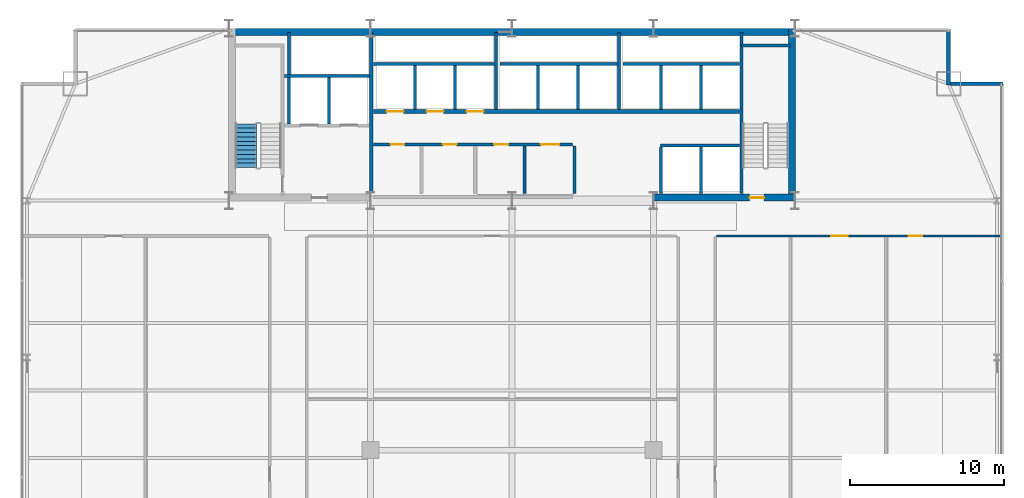
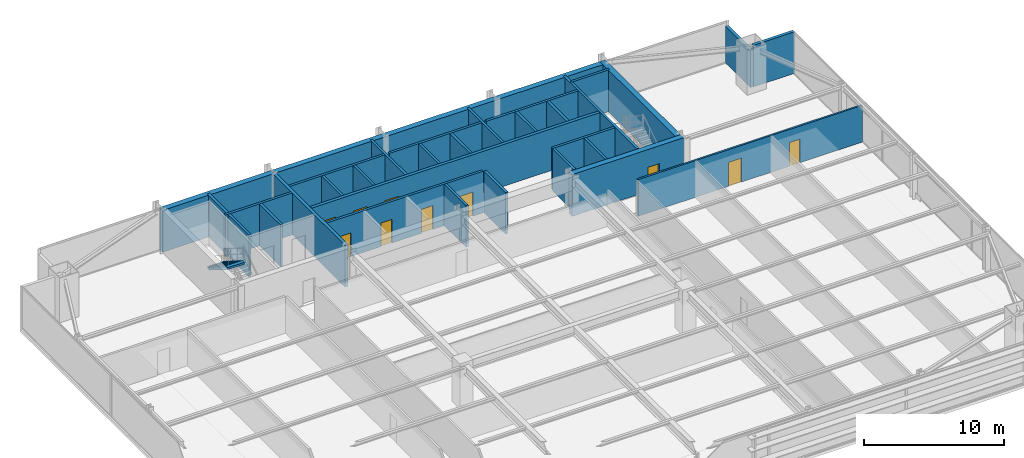
# One storey, part 29 of 32: 30 walls, 10 doors, 1 stair flight, 10 openings, 1 element without a shape of its own.
"""IFC4 building model written with IfcOpenShell, lengths in metres."""

from ifc_helpers import new_model, si_unit, direction, frame, frame_2d, origin, place, context, subcontext, project, spatial, polyline, rectangle, outline, extrude, source, transform, mapped, material, layer, layer_set, type_object, type_shapes, element, fill, aggregate, save


model = new_model("IFC4")

# Units and contexts
model_context = context("Model", 3, precision=1e-05, world=origin(), true_north=direction((0.0, 1.0)))
body_context = subcontext(model_context, "Body", "Model", "MODEL_VIEW")
ifc_project = project(units=[si_unit("LENGTHUNIT", "METRE"), si_unit("AREAUNIT", "SQUARE_METRE"), si_unit("VOLUMEUNIT", "CUBIC_METRE"), si_unit("PLANEANGLEUNIT", "RADIAN"), si_unit("MASSUNIT", "GRAM", prefix="KILO")], contexts=[model_context])

# Site, building, storey
site_placement = place(None, origin())
site = spatial("IfcSite", under=ifc_project, at=site_placement, CompositionType="ELEMENT")
building_placement = place(site_placement, origin())
building = spatial("IfcBuilding", under=site, at=building_placement, Name="Varnel Quay Broadcast Tower", CompositionType="ELEMENT")
storey_placement = place(building_placement, frame((0.0, 0.0, 70.5)))
storey = spatial("IfcBuildingStorey", under=building, at=storey_placement, Name="L16", CompositionType="ELEMENT", Elevation=70.5)

# Walls
ifc_material_1 = material(Name="Concrete CSA A23.3 C50/60", Category="concrete")
ifc_layer_1 = layer(ifc_material_1, 0.199951171875, Name="Concrete CSA A23.3 C50/60")
ifc_layer_set_1 = layer_set([ifc_layer_1], Name="Concrete CSA A23.3 C50/60")
wall_type_1 = type_object("IfcWallType", Name="Wall_CoreShaftShear200", PredefinedType="SHEAR", material=ifc_layer_set_1)
wall_1_placement = place(storey_placement, frame((19.199951171875, 43.699951171875, 0.0), z_axis=(0.0, 0.0, 1.0), x_axis=(1.0, 0.0, 0.0)))
element("IfcWall", 1, at=wall_1_placement, inside=storey, type_object=wall_type_1, Name="L16 Firefighter Lift Shaft Rear Wall", PredefinedType="SHEAR", context=body_context, shape_type="SweptSolid", body=[
    extrude(rectangle(XDim=5.52001953125, YDim=0.199951171875, at=frame_2d((2.760009765625, 0.0))), origin(), (0.0, 0.0, 1.0), 3.64990234375),
])
wall_2_placement = place(storey_placement, frame((22.10009765625, 40.60009765625, 0.0), z_axis=(0.0, 0.0, 1.0), x_axis=(0.0, 1.0, 0.0)))
element("IfcWall", 2, at=wall_2_placement, inside=storey, type_object=wall_type_1, Name="L16 Firefighter Lift Shaft Divider", PredefinedType="SHEAR", context=body_context, shape_type="SweptSolid", body=[
    extrude(rectangle(XDim=3.0, YDim=0.199951171875, at=frame_2d((1.5, 0.0))), origin(), (0.0, 0.0, 1.0), 3.64990234375),
])
wall_3_placement = place(storey_placement, frame((19.5, 40.60009765625, 0.0), z_axis=(0.0, 0.0, 1.0), x_axis=(0.0, 1.0, 0.0)))
element("IfcWall", 3, at=wall_3_placement, inside=storey, type_object=wall_type_1, Name="L16 Firefighter Lift Shaft West Wall", PredefinedType="SHEAR", context=body_context, shape_type="SweptSolid", body=[
    extrude(rectangle(XDim=5.949951171875, YDim=0.199951171875, at=frame_2d((2.97509765625, 0.0))), origin(), (0.0, 0.0, 1.0), 3.64990234375),
])
wall_4_placement = place(storey_placement, frame((48.919921875, 36.050048828125, 0.0), z_axis=(0.0, 0.0, 1.0), x_axis=(0.0, 1.0, 0.0)))
element("IfcWall", 4, at=wall_4_placement, inside=storey, type_object=wall_type_1, Name="L16 Stair 2 West Structural Wall", PredefinedType="SHEAR", context=body_context, shape_type="SweptSolid", body=[
    extrude(rectangle(XDim=10.5, YDim=0.199951171875, at=frame_2d((5.25, 0.0))), origin(), (0.0, 0.0, 1.0), 3.64990234375),
])
wall_5_placement = place(storey_placement, frame((48.919921875, 45.679931640625, 0.0), z_axis=(0.0, 0.0, 1.0), x_axis=(1.0, 0.0, 0.0)))
element("IfcWall", 5, at=wall_5_placement, inside=storey, type_object=wall_type_1, Name="L16 Stair 2 North Structural Wall", PredefinedType="SHEAR", context=body_context, shape_type="SweptSolid", body=[
    extrude(rectangle(XDim=3.18017578125, YDim=0.199951171875, at=frame_2d((1.590087890625, 0.0))), origin(), (0.0, 0.0, 1.0), 3.64990234375),
])
wall_6_placement = place(storey_placement, frame((24.97998046875, 44.5, 0.0), z_axis=(0.0, 0.0, 1.0), x_axis=(1.0, 0.0, 0.0)))
element("IfcWall", 6, at=wall_6_placement, inside=storey, type_object=wall_type_1, Name="L16 Low-Rise Lift Shaft Rear Wall", PredefinedType="SHEAR", context=body_context, shape_type="SweptSolid", body=[
    extrude(rectangle(XDim=7.8701171875, YDim=0.199951171875, at=frame_2d((3.93505859375, 0.0))), origin(), (0.0, 0.0, 1.0), 3.64990234375),
])
for number, where, z_axis, x_axis, name in (
    (7, (27.699951171875, 41.530029296875, 0.0), (0.0, 0.0, 1.0), (0.0, 1.0, 0.0), "L16 Low-Rise Lift Shaft Divider 1"),
    (8, (30.300048828125, 41.530029296875, 0.0), (0.0, 0.0, 1.0), (0.0, 1.0, 0.0), "L16 Low-Rise Lift Shaft Divider 2"),
):
    element("IfcWall", number, at=place(storey_placement, frame(where, z_axis=z_axis, x_axis=x_axis)), inside=storey, type_object=wall_type_1, Name=name, PredefinedType="SHEAR", context=body_context, shape_type="SweptSolid", body=[
        extrude(rectangle(XDim=2.869873046875, YDim=0.199951171875, at=frame_2d((1.43505859375, 0.0))), origin(), (0.0, 0.0, 1.0), 3.64990234375),
    ])
wall_7_placement = place(storey_placement, frame((32.949951171875, 41.530029296875, 0.0), z_axis=(0.0, 0.0, 1.0), x_axis=(0.0, 1.0, 0.0)))
element("IfcWall", 9, at=wall_7_placement, inside=storey, type_object=wall_type_1, Name="L16 Low-Rise Lift Shaft Divider 3", PredefinedType="SHEAR", context=body_context, shape_type="SweptSolid", body=[
    extrude(rectangle(XDim=5.02001953125, YDim=0.199951171875, at=frame_2d((2.510009765625, 0.0))), origin(), (0.0, 0.0, 1.0), 3.64990234375),
])
wall_8_placement = place(storey_placement, frame((33.219970703125, 44.5, 0.0), z_axis=(0.0, 0.0, 1.0), x_axis=(1.0, 0.0, 0.0)))
element("IfcWall", 10, at=wall_8_placement, inside=storey, type_object=wall_type_1, Name="L16 Mid-Rise Lift Shaft Rear Wall", PredefinedType="SHEAR", context=body_context, shape_type="SweptSolid", body=[
    extrude(rectangle(XDim=7.630126953125, YDim=0.199951171875, at=frame_2d((3.81494140625, 0.0))), origin(), (0.0, 0.0, 1.0), 3.64990234375),
])
for number, where, z_axis, x_axis, name in (
    (11, (35.699951171875, 41.530029296875, 0.0), (0.0, 0.0, 1.0), (0.0, 1.0, 0.0), "L16 Mid-Rise Lift Shaft Divider 2"),
    (12, (38.300048828125, 41.530029296875, 0.0), (0.0, 0.0, 1.0), (0.0, 1.0, 0.0), "L16 Mid-Rise Lift Shaft Divider 3"),
):
    element("IfcWall", number, at=place(storey_placement, frame(where, z_axis=z_axis, x_axis=x_axis)), inside=storey, type_object=wall_type_1, Name=name, PredefinedType="SHEAR", context=body_context, shape_type="SweptSolid", body=[
        extrude(rectangle(XDim=2.869873046875, YDim=0.199951171875, at=frame_2d((1.43505859375, 0.0))), origin(), (0.0, 0.0, 1.0), 3.64990234375),
    ])
wall_9_placement = place(storey_placement, frame((40.949951171875, 41.530029296875, 0.0), z_axis=(0.0, 0.0, 1.0), x_axis=(0.0, 1.0, 0.0)))
element("IfcWall", 13, at=wall_9_placement, inside=storey, type_object=wall_type_1, Name="L16 Mid-Rise Lift Shaft Divider 4", PredefinedType="SHEAR", context=body_context, shape_type="SweptSolid", body=[
    extrude(rectangle(XDim=5.02001953125, YDim=0.199951171875, at=frame_2d((2.510009765625, 0.0))), origin(), (0.0, 0.0, 1.0), 3.64990234375),
])
wall_10_placement = place(storey_placement, frame((41.219970703125, 44.5, 0.0), z_axis=(0.0, 0.0, 1.0), x_axis=(1.0, 0.0, 0.0)))
element("IfcWall", 14, at=wall_10_placement, inside=storey, type_object=wall_type_1, Name="L16 High-Rise Lift Shaft Rear Wall", PredefinedType="SHEAR", context=body_context, shape_type="SweptSolid", body=[
    extrude(rectangle(XDim=7.580078125, YDim=0.199951171875, at=frame_2d((3.7900390625, 0.0))), origin(), (0.0, 0.0, 1.0), 3.64990234375),
])
for number, where, z_axis, x_axis, name in (
    (15, (43.699951171875, 41.530029296875, 0.0), (0.0, 0.0, 1.0), (0.0, 1.0, 0.0), "L16 High-Rise Lift Shaft Divider 2"),
    (16, (46.300048828125, 41.530029296875, 0.0), (0.0, 0.0, 1.0), (0.0, 1.0, 0.0), "L16 High-Rise Lift Shaft Divider 3"),
):
    element("IfcWall", number, at=place(storey_placement, frame(where, z_axis=z_axis, x_axis=x_axis)), inside=storey, type_object=wall_type_1, Name=name, PredefinedType="SHEAR", context=body_context, shape_type="SweptSolid", body=[
        extrude(rectangle(XDim=2.869873046875, YDim=0.199951171875, at=frame_2d((1.43505859375, 0.0))), origin(), (0.0, 0.0, 1.0), 3.64990234375),
    ])
for number, where, z_axis, x_axis, name in (
    (17, (43.699951171875, 36.050048828125, 0.0), (0.0, 0.0, 1.0), (0.0, 1.0, 0.0), "L16 Express Lift Shaft West Wall"),
    (18, (46.300048828125, 36.050048828125, 0.0), (0.0, 0.0, 1.0), (0.0, 1.0, 0.0), "L16 Express Lift Shaft Divider"),
):
    element("IfcWall", number, at=place(storey_placement, frame(where, z_axis=z_axis, x_axis=x_axis)), inside=storey, type_object=wall_type_1, Name=name, PredefinedType="SHEAR", context=body_context, shape_type="SweptSolid", body=[
        extrude(rectangle(XDim=3.050048828125, YDim=0.199951171875, at=frame_2d((1.52490234375, 0.0))), origin(), (0.0, 0.0, 1.0), 3.64990234375),
    ])
wall_11_placement = place(storey_placement, frame((43.64990234375, 39.199951171875, 0.0), z_axis=(0.0, 0.0, 1.0), x_axis=(1.0, 0.0, 0.0)))
element("IfcWall", 19, at=wall_11_placement, inside=storey, type_object=wall_type_1, Name="L16 Express Lift Shaft North Front Wall", PredefinedType="SHEAR", context=body_context, shape_type="SweptSolid", body=[
    extrude(rectangle(XDim=5.150146484375, YDim=0.199951171875, at=frame_2d((2.5751953125, 0.0))), origin(), (0.0, 0.0, 1.0), 3.64990234375),
])
ifc_layer_2 = layer(ifc_material_1, 0.25, Name="Concrete CSA A23.3 C50/60")
ifc_layer_set_2 = layer_set([ifc_layer_2], Name="Concrete CSA A23.3 C50/60")
wall_type_2 = type_object("IfcWallType", Name="Wall_CoreShaftShear250", PredefinedType="SHEAR", material=ifc_layer_set_2)
wall_12_placement = place(storey_placement, frame((24.85009765625, 36.050048828125, 0.0), z_axis=(0.0, 0.0, 1.0), x_axis=(0.0, 1.0, 0.0)))
element("IfcWall", 20, at=wall_12_placement, inside=storey, type_object=wall_type_2, Name="L16 Firefighting Lobby East Structural Wall", PredefinedType="SHEAR", context=body_context, shape_type="SweptSolid", body=[
    extrude(rectangle(XDim=10.449951171875, YDim=0.25, at=frame_2d((5.22509765625, 0.0))), origin(), (0.0, 0.0, 1.0), 3.64990234375),
])

# Wall, openings, doors
wall_13_placement = place(storey_placement, frame((24.97998046875, 41.39990234375, 0.0), z_axis=(0.0, 0.0, 1.0), x_axis=(1.0, 0.0, 0.0)))
wall_13 = element("IfcWall", 21, at=wall_13_placement, inside=storey, type_object=wall_type_2, Name="L16 North Lift Bank & Reclaimed Suite Wall", PredefinedType="SHEAR", context=body_context, shape_type="SweptSolid", body=[
    extrude(rectangle(XDim=23.820068359375, YDim=0.25, at=frame_2d((11.91015625, 0.0))), origin(), (0.0, 0.0, 1.0), 3.64990234375),
])
opening_1_placement = place(wall_13_placement, frame((0.8701171875, 0.0, 0.0)))
opening_1 = element("IfcOpeningElement", 22, at=opening_1_placement, cuts=wall_13, Name="Opening LD-L16-PL-01", PredefinedType="OPENING", context=body_context, shape_type="SweptSolid", body=[
    extrude(rectangle(XDim=1.10009765625, YDim=2.179931640625, at=frame_2d((0.550048828125, 1.08984375))), frame((0.0, 0.135009765625, 0.0), z_axis=(0.0, -1.0, 0.0), x_axis=(1.0, 0.0, 0.0)), (0.0, 0.0, 1.0), 0.27001953125),
])
opening_2_placement = place(wall_13_placement, frame((3.469970703125, 0.0, 0.0)))
opening_2 = element("IfcOpeningElement", 23, at=opening_2_placement, cuts=wall_13, Name="Opening LD-L16-PL-02", PredefinedType="OPENING", context=body_context, shape_type="SweptSolid", body=[
    extrude(rectangle(XDim=1.10009765625, YDim=2.179931640625, at=frame_2d((0.550048828125, 1.08984375))), frame((0.0, 0.135009765625, 0.0), z_axis=(0.0, -1.0, 0.0), x_axis=(1.0, 0.0, 0.0)), (0.0, 0.0, 1.0), 0.27001953125),
])
opening_3_placement = place(wall_13_placement, frame((6.070068359375, 0.0, 0.0)))
opening_3 = element("IfcOpeningElement", 24, at=opening_3_placement, cuts=wall_13, Name="Opening LD-L16-PL-03", PredefinedType="OPENING", context=body_context, shape_type="SweptSolid", body=[
    extrude(rectangle(XDim=1.10009765625, YDim=2.179931640625, at=frame_2d((0.550048828125, 1.08984375))), frame((0.0, 0.135009765625, 0.0), z_axis=(0.0, -1.0, 0.0), x_axis=(1.0, 0.0, 0.0)), (0.0, 0.0, 1.0), 0.27001953125),
])
ifc_material_2 = material(Name="Brushed Bronze-Stainless Lift Car & Sliding Doors", Category="steel")
door_type_1 = type_object("IfcDoorType", Name="Door_LiftLanding1100", OperationType="SLIDING_TO_LEFT", PredefinedType="DOOR", material=ifc_material_2)
shared_shape_1 = source(origin(), body_context, "Body", "SweptSolid", [
    extrude(rectangle(XDim=1.10009765625, YDim=2.179931640625, at=frame_2d((0.550048828125, 1.08984375))), frame((0.0, 0.02490234375, 0.0), z_axis=(0.0, -1.0, 0.0), x_axis=(1.0, 0.0, 0.0)), (0.0, 0.0, 1.0), 0.050048828125),
])
type_shapes(door_type_1, [shared_shape_1])
door_1_placement = place(opening_1_placement, frame((1.10009765625, 0.0, 0.0), z_axis=(0.0, 0.0, 1.0), x_axis=(-1.0, 0.0, 0.0)))
door_1 = element("IfcDoor", 25, at=door_1_placement, inside=storey, type_object=door_type_1, Name="L16 Lift PL-01 Landing Door", OperationType="SLIDING_TO_LEFT", OverallHeight=2.179931640625, OverallWidth=1.10009765625, PredefinedType="DOOR", context=body_context, shape_type="MappedRepresentation", body=[
    mapped(shared_shape_1, transform((0.0, 0.0, 0.0), x_axis=(1.0, 0.0, 0.0), y_axis=(0.0, 1.0, 0.0), z_axis=(0.0, 0.0, 1.0), scale=1.0)),
])
fill(opening_1, door_1)
door_2_placement = place(opening_2_placement, frame((1.10009765625, 0.0, 0.0), z_axis=(0.0, 0.0, 1.0), x_axis=(-1.0, 0.0, 0.0)))
door_2 = element("IfcDoor", 26, at=door_2_placement, inside=storey, type_object=door_type_1, Name="L16 Lift PL-02 Landing Door", OperationType="SLIDING_TO_LEFT", OverallHeight=2.179931640625, OverallWidth=1.10009765625, PredefinedType="DOOR", context=body_context, shape_type="MappedRepresentation", body=[
    mapped(shared_shape_1, transform((0.0, 0.0, 0.0), x_axis=(1.0, 0.0, 0.0), y_axis=(0.0, 1.0, 0.0), z_axis=(0.0, 0.0, 1.0), scale=1.0)),
])
fill(opening_2, door_2)
door_3_placement = place(opening_3_placement, frame((1.10009765625, 0.0, 0.0), z_axis=(0.0, 0.0, 1.0), x_axis=(-1.0, 0.0, 0.0)))
door_3 = element("IfcDoor", 27, at=door_3_placement, inside=storey, type_object=door_type_1, Name="L16 Lift PL-03 Landing Door", OperationType="SLIDING_TO_LEFT", OverallHeight=2.179931640625, OverallWidth=1.10009765625, PredefinedType="DOOR", context=body_context, shape_type="MappedRepresentation", body=[
    mapped(shared_shape_1, transform((0.0, 0.0, 0.0), x_axis=(1.0, 0.0, 0.0), y_axis=(0.0, 1.0, 0.0), z_axis=(0.0, 0.0, 1.0), scale=1.0)),
])
fill(opening_3, door_3)

# Walls
ifc_material_3 = material(Name="Concrete CSA A23.3 C60/75", Category="concrete")
ifc_layer_3 = layer(ifc_material_3, 0.449951171875, Name="Concrete CSA A23.3 C60/75")
ifc_layer_set_3 = layer_set([ifc_layer_3], Name="Concrete CSA A23.3 C60/75")
wall_type_3 = type_object("IfcWallType", Name="Wall_CoreShearExt450", PredefinedType="SHEAR", material=ifc_layer_set_3)
wall_14_placement = place(storey_placement, frame((15.60009765625, 46.574951171875, 0.0), z_axis=(0.0, 0.0, 1.0), x_axis=(1.0, 0.0, 0.0)))
element("IfcWall", 28, at=wall_14_placement, inside=storey, type_object=wall_type_3, Name="L16 North Core Shear Wall", PredefinedType="SHEAR", context=body_context, shape_type="SweptSolid", body=[
    extrude(rectangle(XDim=36.7998046875, YDim=0.449951171875, at=frame_2d((18.39990234375, 0.0))), origin(), (0.0, 0.0, 1.0), 3.64990234375),
])
ifc_layer_4 = layer(ifc_material_3, 0.449951171875, Name="Concrete CSA A23.3 C60/75")
ifc_layer_set_4 = layer_set([ifc_layer_4], Name="Concrete CSA A23.3 C60/75")
wall_type_4 = type_object("IfcWallType", Name="Wall_CoreShearInt450", PredefinedType="SHEAR", material=ifc_layer_set_4)
wall_15_placement = place(storey_placement, frame((52.205078125, 35.570068359375, 0.0), z_axis=(0.0, 0.0, 1.0), x_axis=(0.0, 1.0, 0.0)))
element("IfcWall", 29, at=wall_15_placement, inside=storey, type_object=wall_type_4, Name="L16 East Core Shear Wall", PredefinedType="SHEAR", context=body_context, shape_type="SweptSolid", body=[
    extrude(rectangle(XDim=11.22998046875, YDim=0.449951171875, at=frame_2d((5.614990234375, 0.0))), origin(), (0.0, 0.0, 1.0), 3.64990234375),
])

# Wall, opening, door
wall_16_placement = place(storey_placement, frame((43.199951171875, 35.794921875, 0.0), z_axis=(0.0, 0.0, 1.0), x_axis=(1.0, 0.0, 0.0)))
wall_16 = element("IfcWall", 30, at=wall_16_placement, inside=storey, type_object=wall_type_4, Name="L16 South-East Core Shear Wall", PredefinedType="SHEAR", context=body_context, shape_type="SweptSolid", body=[
    extrude(rectangle(XDim=9.22998046875, YDim=0.449951171875, at=frame_2d((4.614990234375, 0.0))), origin(), (0.0, 0.0, 1.0), 3.64990234375),
])
opening_4_placement = place(wall_16_placement, frame((6.25, 0.0, 0.0)))
opening_4 = element("IfcOpeningElement", 31, at=opening_4_placement, cuts=wall_16, Name="Opening D-L16-S2", PredefinedType="OPENING", context=body_context, shape_type="SweptSolid", body=[
    extrude(rectangle(XDim=0.949951171875, YDim=2.10009765625, at=frame_2d((0.47509765625, 1.050048828125))), frame((0.0, 0.23486328125, 0.0), z_axis=(0.0, -1.0, 0.0), x_axis=(1.0, 0.0, 0.0)), (0.0, 0.0, 1.0), 0.469970703125),
])
ifc_material_4 = material(Name="Insulated Fire-Rated Hollow Steel Door", Category="steel")
door_type_2 = type_object("IfcDoorType", Name="Door_FireStair950", OperationType="NOTDEFINED", PredefinedType="DOOR", material=ifc_material_4)
shared_shape_2 = source(origin(), body_context, "Body", "SweptSolid", [
    extrude(rectangle(XDim=0.949951171875, YDim=2.10009765625, at=frame_2d((0.47509765625, 1.050048828125))), frame((0.0, 0.02490234375, 0.0), z_axis=(0.0, -1.0, 0.0), x_axis=(1.0, 0.0, 0.0)), (0.0, 0.0, 1.0), 0.050048828125),
])
type_shapes(door_type_2, [shared_shape_2])
door_4_placement = place(opening_4_placement, origin())
door_4 = element("IfcDoor", 32, at=door_4_placement, inside=storey, type_object=door_type_2, Name="L16 Stair 2 Fire Door", OperationType="SINGLE_SWING_LEFT", OverallHeight=2.10009765625, OverallWidth=0.949951171875, PredefinedType="DOOR", context=body_context, shape_type="MappedRepresentation", body=[
    mapped(shared_shape_2, transform((0.0, 0.0, 0.0), x_axis=(1.0, 0.0, 0.0), y_axis=(0.0, 1.0, 0.0), z_axis=(0.0, 0.0, 1.0), scale=1.0)),
])
fill(opening_4, door_4)

# Walls
ifc_material_5 = material(Name="Precast Architectural Concrete C40/50", Category="concrete")
ifc_layer_5 = layer(ifc_material_5, 0.25, Name="Precast Architectural Concrete C40/50")
ifc_layer_set_5 = layer_set([ifc_layer_5], Name="Precast Architectural Concrete C40/50")
wall_type_5 = type_object("IfcWallType", Name="Wall_ExtTerrace250", PredefinedType="SOLIDWALL", material=ifc_layer_set_5)
wall_17_placement = place(storey_placement, frame((62.530029296875, 43.199951171875, 0.0), z_axis=(0.0, 0.0, 1.0), x_axis=(1.0, 0.0, 0.0)))
element("IfcWall", 33, at=wall_17_placement, inside=storey, type_object=wall_type_5, Name="L16 Mega-Column Notch Cladding Wall NNE1", PredefinedType="SOLIDWALL", context=body_context, shape_type="SweptSolid", body=[
    extrude(rectangle(XDim=3.389892578125, YDim=0.25, at=frame_2d((1.69482421875, 0.0))), origin(), (0.0, 0.0, 1.0), 3.6298828125),
])
wall_18_placement = place(storey_placement, frame((62.39990234375, 43.1201171875, 0.0), z_axis=(0.0, 0.0, 1.0), x_axis=(0.0, 1.0, 0.0)))
element("IfcWall", 34, at=wall_18_placement, inside=storey, type_object=wall_type_5, Name="L16 Mega-Column Notch Cladding Wall NNE2", PredefinedType="SOLIDWALL", context=body_context, shape_type="SweptSolid", body=[
    extrude(rectangle(XDim=3.599853515625, YDim=0.25, at=frame_2d((1.7998046875, 0.0))), origin(), (0.0, 0.0, 1.0), 3.2080078125),
])

# Wall, openings, doors
ifc_material_6 = material(Name="Concrete Blockwork Fire Enclosure C40/50", Category="masonry")
ifc_layer_6 = layer(ifc_material_6, 0.199951171875, Name="Concrete Blockwork Fire Enclosure C40/50")
ifc_layer_set_6 = layer_set([ifc_layer_6], Name="Concrete Blockwork Fire Enclosure C40/50")
wall_type_6 = type_object("IfcWallType", Name="Wall_FireShaft200", PredefinedType="SOLIDWALL", material=ifc_layer_set_6)
wall_19_placement = place(storey_placement, frame((25.0, 39.25, 0.0), z_axis=(0.0, 0.0, 1.0), x_axis=(1.0, 0.0, 0.0)))
wall_19 = element("IfcWall", 35, at=wall_19_placement, inside=storey, type_object=wall_type_6, Name="L16 Accessible Universal Washroom Partition 3", PredefinedType="SOLIDWALL", context=body_context, shape_type="SweptSolid", body=[
    extrude(rectangle(XDim=12.949951171875, YDim=0.199951171875, at=frame_2d((6.47509765625, 0.0))), origin(), (0.0, 0.0, 1.0), 3.6298828125),
])
opening_5_placement = place(wall_19_placement, frame((1.10009765625, 0.0, 0.0)))
opening_5 = element("IfcOpeningElement", 36, at=opening_5_placement, cuts=wall_19, Name="Opening D-L16-01", PredefinedType="OPENING", context=body_context, shape_type="SweptSolid", body=[
    extrude(rectangle(XDim=0.89990234375, YDim=2.06005859375, at=frame_2d((0.449951171875, 1.030029296875))), frame((0.0, 0.10986328125, 0.0), z_axis=(0.0, -1.0, 0.0), x_axis=(1.0, 0.0, 0.0)), (0.0, 0.0, 1.0), 0.219970703125),
])
opening_6_placement = place(wall_19_placement, frame((4.5, 0.0, 0.0)))
opening_6 = element("IfcOpeningElement", 37, at=opening_6_placement, cuts=wall_19, Name="Opening D-L16-02", PredefinedType="OPENING", context=body_context, shape_type="SweptSolid", body=[
    extrude(rectangle(XDim=0.89990234375, YDim=2.06005859375, at=frame_2d((0.449951171875, 1.030029296875))), frame((0.0, 0.10986328125, 0.0), z_axis=(0.0, -1.0, 0.0), x_axis=(1.0, 0.0, 0.0)), (0.0, 0.0, 1.0), 0.219970703125),
])
opening_7_placement = place(wall_19_placement, frame((7.840087890625, 0.0, 0.0)))
opening_7 = element("IfcOpeningElement", 38, at=opening_7_placement, cuts=wall_19, Name="Opening D-L16-03", PredefinedType="OPENING", context=body_context, shape_type="SweptSolid", body=[
    extrude(rectangle(XDim=0.919921875, YDim=2.080078125, at=frame_2d((0.4599609375, 1.0400390625))), frame((0.0, 0.10986328125, 0.0), z_axis=(0.0, -1.0, 0.0), x_axis=(1.0, 0.0, 0.0)), (0.0, 0.0, 1.0), 0.219970703125),
])
opening_8_placement = place(wall_19_placement, frame((10.875, 0.0, 0.0)))
opening_8 = element("IfcOpeningElement", 39, at=opening_8_placement, cuts=wall_19, Name="Opening D-L16-04", PredefinedType="OPENING", context=body_context, shape_type="SweptSolid", body=[
    extrude(rectangle(XDim=1.199951171875, YDim=2.10009765625, at=frame_2d((0.60009765625, 1.050048828125))), frame((0.0, 0.10986328125, 0.0), z_axis=(0.0, -1.0, 0.0), x_axis=(1.0, 0.0, 0.0)), (0.0, 0.0, 1.0), 0.219970703125),
])
ifc_material_7 = material(Name="Solid-Core Fire-Rated Acoustic Oak Veneer Door", Category="wood")
door_type_3 = type_object("IfcDoorType", Name="Door_Washroom900", OperationType="NOTDEFINED", PredefinedType="DOOR", material=ifc_material_7)
shared_shape_3 = source(origin(), body_context, "Body", "SweptSolid", [
    extrude(rectangle(XDim=0.89990234375, YDim=2.06005859375, at=frame_2d((0.449951171875, 1.030029296875))), frame((0.0, 0.02490234375, 0.0), z_axis=(0.0, -1.0, 0.0), x_axis=(1.0, 0.0, 0.0)), (0.0, 0.0, 1.0), 0.050048828125),
])
type_shapes(door_type_3, [shared_shape_3])
door_5_placement = place(opening_5_placement, frame((0.89990234375, 0.0, 0.0), z_axis=(0.0, 0.0, 1.0), x_axis=(-1.0, 0.0, 0.0)))
door_5 = element("IfcDoor", 40, at=door_5_placement, inside=storey, type_object=door_type_3, Name="L16 Accessible Universal Washroom Door D-L16-01", OperationType="SINGLE_SWING_RIGHT", OverallHeight=2.06005859375, OverallWidth=0.89990234375, PredefinedType="DOOR", context=body_context, shape_type="MappedRepresentation", body=[
    mapped(shared_shape_3, transform((0.0, 0.0, 0.0), x_axis=(1.0, 0.0, 0.0), y_axis=(0.0, 1.0, 0.0), z_axis=(0.0, 0.0, 1.0), scale=1.0)),
])
fill(opening_5, door_5)
door_6_placement = place(opening_6_placement, frame((0.89990234375, 0.0, 0.0), z_axis=(0.0, 0.0, 1.0), x_axis=(-1.0, 0.0, 0.0)))
door_6 = element("IfcDoor", 41, at=door_6_placement, inside=storey, type_object=door_type_3, Name="L16 Staff Washroom Block Door D-L16-02", OperationType="SINGLE_SWING_LEFT", OverallHeight=2.06005859375, OverallWidth=0.89990234375, PredefinedType="DOOR", context=body_context, shape_type="MappedRepresentation", body=[
    mapped(shared_shape_3, transform((0.0, 0.0, 0.0), x_axis=(1.0, 0.0, 0.0), y_axis=(0.0, 1.0, 0.0), z_axis=(0.0, 0.0, 1.0), scale=1.0)),
])
fill(opening_6, door_6)
door_type_4 = type_object("IfcDoorType", Name="Door_Plant1200", OperationType="NOTDEFINED", PredefinedType="DOOR", material=ifc_material_4)
shared_shape_4 = source(origin(), body_context, "Body", "SweptSolid", [
    extrude(rectangle(XDim=1.199951171875, YDim=2.10009765625, at=frame_2d((0.60009765625, 1.050048828125))), frame((0.0, 0.02490234375, 0.0), z_axis=(0.0, -1.0, 0.0), x_axis=(1.0, 0.0, 0.0)), (0.0, 0.0, 1.0), 0.050048828125),
])
type_shapes(door_type_4, [shared_shape_4])
door_7_placement = place(opening_8_placement, origin())
door_7 = element("IfcDoor", 42, at=door_7_placement, inside=storey, type_object=door_type_4, Name="L16 Zone Lighting Dimmer Room Door D-L16-04", OperationType="SINGLE_SWING_LEFT", OverallHeight=2.10009765625, OverallWidth=1.199951171875, PredefinedType="DOOR", context=body_context, shape_type="MappedRepresentation", body=[
    mapped(shared_shape_4, transform((0.0, 0.0, 0.0), x_axis=(1.0, 0.0, 0.0), y_axis=(0.0, 1.0, 0.0), z_axis=(0.0, 0.0, 1.0), scale=1.0)),
])
fill(opening_8, door_7)
door_type_5 = type_object("IfcDoorType", Name="Door_Office920", OperationType="NOTDEFINED", PredefinedType="DOOR", material=ifc_material_7)
shared_shape_5 = source(origin(), body_context, "Body", "SweptSolid", [
    extrude(rectangle(XDim=0.919921875, YDim=2.080078125, at=frame_2d((0.4599609375, 1.0400390625))), frame((0.0, 0.02490234375, 0.0), z_axis=(0.0, -1.0, 0.0), x_axis=(1.0, 0.0, 0.0)), (0.0, 0.0, 1.0), 0.050048828125),
])
type_shapes(door_type_5, [shared_shape_5])
door_8_placement = place(opening_7_placement, frame((0.919921875, 0.0, 0.0), z_axis=(0.0, 0.0, 1.0), x_axis=(-1.0, 0.0, 0.0)))
door_8 = element("IfcDoor", 43, at=door_8_placement, inside=storey, type_object=door_type_5, Name="L16 Broadcast First-Aid & Quiet Room Door D-L16-03", OperationType="SINGLE_SWING_RIGHT", OverallHeight=2.080078125, OverallWidth=0.919921875, PredefinedType="DOOR", context=body_context, shape_type="MappedRepresentation", body=[
    mapped(shared_shape_5, transform((0.0, 0.0, 0.0), x_axis=(1.0, 0.0, 0.0), y_axis=(0.0, 1.0, 0.0), z_axis=(0.0, 0.0, 1.0), scale=1.0)),
])
fill(opening_7, door_8)

# Walls
for number, where, z_axis, x_axis, name in (
    (44, (34.800048828125, 36.050048828125, 0.0), (0.0, 0.0, 1.0), (0.0, 1.0, 0.0), "L16 Broadcast First-Aid & Quiet Room Partition 5"),
    (45, (38.074951171875, 36.050048828125, 0.0), (0.0, 0.0, 1.0), (0.0, 1.0, 0.0), "L16 Zone Lighting Dimmer Room Partition 6"),
):
    element("IfcWall", number, at=place(storey_placement, frame(where, z_axis=z_axis, x_axis=x_axis)), inside=storey, type_object=wall_type_6, Name=name, PredefinedType="SOLIDWALL", context=body_context, shape_type="SweptSolid", body=[
        extrude(rectangle(XDim=3.099853515625, YDim=0.199951171875, at=frame_2d((1.5498046875, 0.0))), origin(), (0.0, 0.0, 1.0), 3.6298828125),
    ])

# Wall, openings, doors
ifc_material_8 = material(Name="Steel-Stud Fire-Rated Acoustic Gypsum Partition Assembly", Category="steel")
ifc_layer_7 = layer(ifc_material_8, 0.14990234375, Name="Steel-Stud Fire-Rated Acoustic Gypsum Partition Assembly")
ifc_layer_set_7 = layer_set([ifc_layer_7], Name="Steel-Stud Fire-Rated Acoustic Gypsum Partition Assembly")
wall_type_7 = type_object("IfcWallType", Name="Wall_Partition150", PredefinedType="PARTITIONING", material=ifc_layer_set_7)
wall_20_placement = place(storey_placement, frame((47.31005859375, 33.300048828125, 0.0), z_axis=(0.0, 0.0, 1.0), x_axis=(1.0, 0.0, 0.0)))
wall_20 = element("IfcWall", 46, at=wall_20_placement, inside=storey, type_object=wall_type_7, Name="L16 Assignment Desk 6 Partition 16", PredefinedType="PARTITIONING", context=body_context, shape_type="SweptSolid", body=[
    extrude(rectangle(XDim=18.510009765625, YDim=0.14990234375, at=frame_2d((9.2548828125, 0.0))), origin(), (0.0, 0.0, 1.0), 3.2080078125),
])
opening_9_placement = place(wall_20_placement, frame((7.465087890625, 0.0, 0.0)))
opening_9 = element("IfcOpeningElement", 47, at=opening_9_placement, cuts=wall_20, Name="Opening D-L16-11", PredefinedType="OPENING", context=body_context, shape_type="SweptSolid", body=[
    extrude(rectangle(XDim=1.050048828125, YDim=2.10009765625, at=frame_2d((0.52490234375, 1.050048828125))), frame((0.0, 0.0849609375, 0.0), z_axis=(0.0, -1.0, 0.0), x_axis=(1.0, 0.0, 0.0)), (0.0, 0.0, 1.0), 0.169921875),
])
opening_10_placement = place(wall_20_placement, frame((12.47998046875, 0.0, 0.0)))
opening_10 = element("IfcOpeningElement", 48, at=opening_10_placement, cuts=wall_20, Name="Opening D-L16-12", PredefinedType="OPENING", context=body_context, shape_type="SweptSolid", body=[
    extrude(rectangle(XDim=0.8798828125, YDim=2.06005859375, at=frame_2d((0.43994140625, 1.030029296875))), frame((0.0, 0.0849609375, 0.0), z_axis=(0.0, -1.0, 0.0), x_axis=(1.0, 0.0, 0.0)), (0.0, 0.0, 1.0), 0.169921875),
])
door_type_6 = type_object("IfcDoorType", Name="Door_Booth880", OperationType="NOTDEFINED", PredefinedType="DOOR", material=ifc_material_7)
shared_shape_6 = source(origin(), body_context, "Body", "SweptSolid", [
    extrude(rectangle(XDim=0.8798828125, YDim=2.06005859375, at=frame_2d((0.43994140625, 1.030029296875))), frame((0.0, 0.02490234375, 0.0), z_axis=(0.0, -1.0, 0.0), x_axis=(1.0, 0.0, 0.0)), (0.0, 0.0, 1.0), 0.050048828125),
])
type_shapes(door_type_6, [shared_shape_6])
door_9_placement = place(opening_10_placement, frame((0.8798828125, 0.0, 0.0), z_axis=(0.0, 0.0, 1.0), x_axis=(-1.0, 0.0, 0.0)))
door_9 = element("IfcDoor", 49, at=door_9_placement, inside=storey, type_object=door_type_6, Name="L16 Break Kitchen 8 Door D-L16-12", OperationType="SINGLE_SWING_LEFT", OverallHeight=2.06005859375, OverallWidth=0.8798828125, PredefinedType="DOOR", context=body_context, shape_type="MappedRepresentation", body=[
    mapped(shared_shape_6, transform((0.0, 0.0, 0.0), x_axis=(1.0, 0.0, 0.0), y_axis=(0.0, 1.0, 0.0), z_axis=(0.0, 0.0, 1.0), scale=1.0)),
])
fill(opening_10, door_9)
door_type_7 = type_object("IfcDoorType", Name="Door_Meeting1050", OperationType="NOTDEFINED", PredefinedType="DOOR", material=ifc_material_7)
shared_shape_7 = source(origin(), body_context, "Body", "SweptSolid", [
    extrude(rectangle(XDim=1.050048828125, YDim=2.10009765625, at=frame_2d((0.52490234375, 1.050048828125))), frame((0.0, 0.02490234375, 0.0), z_axis=(0.0, -1.0, 0.0), x_axis=(1.0, 0.0, 0.0)), (0.0, 0.0, 1.0), 0.050048828125),
])
type_shapes(door_type_7, [shared_shape_7])
door_10_placement = place(opening_9_placement, frame((1.050048828125, 0.0, 0.0), z_axis=(0.0, 0.0, 1.0), x_axis=(-1.0, 0.0, 0.0)))
door_10 = element("IfcDoor", 50, at=door_10_placement, inside=storey, type_object=door_type_7, Name="L16 Editorial Boardroom 7 Door D-L16-11", OperationType="SINGLE_SWING_RIGHT", OverallHeight=2.10009765625, OverallWidth=1.050048828125, PredefinedType="DOOR", context=body_context, shape_type="MappedRepresentation", body=[
    mapped(shared_shape_7, transform((0.0, 0.0, 0.0), x_axis=(1.0, 0.0, 0.0), y_axis=(0.0, 1.0, 0.0), z_axis=(0.0, 0.0, 1.0), scale=1.0)),
])
fill(opening_9, door_10)

# Stair, stair flight
ifc_material_9 = material(Name="Precast Structural Concrete C40/50", Category="concrete")
stair_type = type_object("IfcStairType", Name="Stair_ST-01", PredefinedType="HALF_TURN_STAIR", material=ifc_material_9)
stair_placement = place(storey_placement, origin())
stair = element("IfcStair", 51, at=stair_placement, inside=storey, type_object=stair_type, Name="L16 West Core Exit Stair 1", PredefinedType="HALF_TURN_STAIR")
stair_flight_type = type_object("IfcStairFlightType", Name="Flight_ST-01", PredefinedType="STRAIGHT", material=ifc_material_9)
stair_flight_placement = place(storey_placement, frame((16.699951171875, 40.60009765625, 1.949951171875), z_axis=(0.0, 0.0, 1.0), x_axis=(0.0, -1.0, 0.0)))
stair_flight = element("IfcStairFlight", 52, at=stair_flight_placement, type_object=stair_flight_type, Name="ST-01 flight 2", NumberOfRisers=11, NumberOfTreads=10, PredefinedType="STRAIGHT", RiserHeight=0.177272727, TreadLength=0.285, context=body_context, shape_type="SweptSolid", body=[
    extrude(outline(polyline([(0.0, 0.0), (0.0, 0.17724609375), (0.284912109375, 0.17724609375), (0.284912109375, 0.3544921875), (0.570068359375, 0.3544921875), (0.570068359375, 0.53173828125), (0.85498046875, 0.53173828125), (0.85498046875, 0.708984375), (1.139892578125, 0.708984375), (1.139892578125, 0.886474609375), (1.425048828125, 0.886474609375), (1.425048828125, 1.063720703125), (1.7099609375, 1.063720703125), (1.7099609375, 1.240966796875), (1.9951171875, 1.240966796875), (1.9951171875, 1.418212890625), (2.280029296875, 1.418212890625), (2.280029296875, 1.595458984375), (2.56494140625, 1.595458984375), (2.56494140625, 1.772705078125), (2.85009765625, 1.772705078125), (2.85009765625, 1.949951171875), (2.85009765625, 1.59619140625), (0.283935546875, 0.0), (0.0, 0.0)])), frame((0.0, 0.699951171875, 0.0), z_axis=(0.0, -1.0, 0.0), x_axis=(1.0, 0.0, 0.0)), (0.0, 0.0, 1.0), 1.39990234375),
])
aggregate(stair, [stair_flight])

save(model, "model.ifc")
